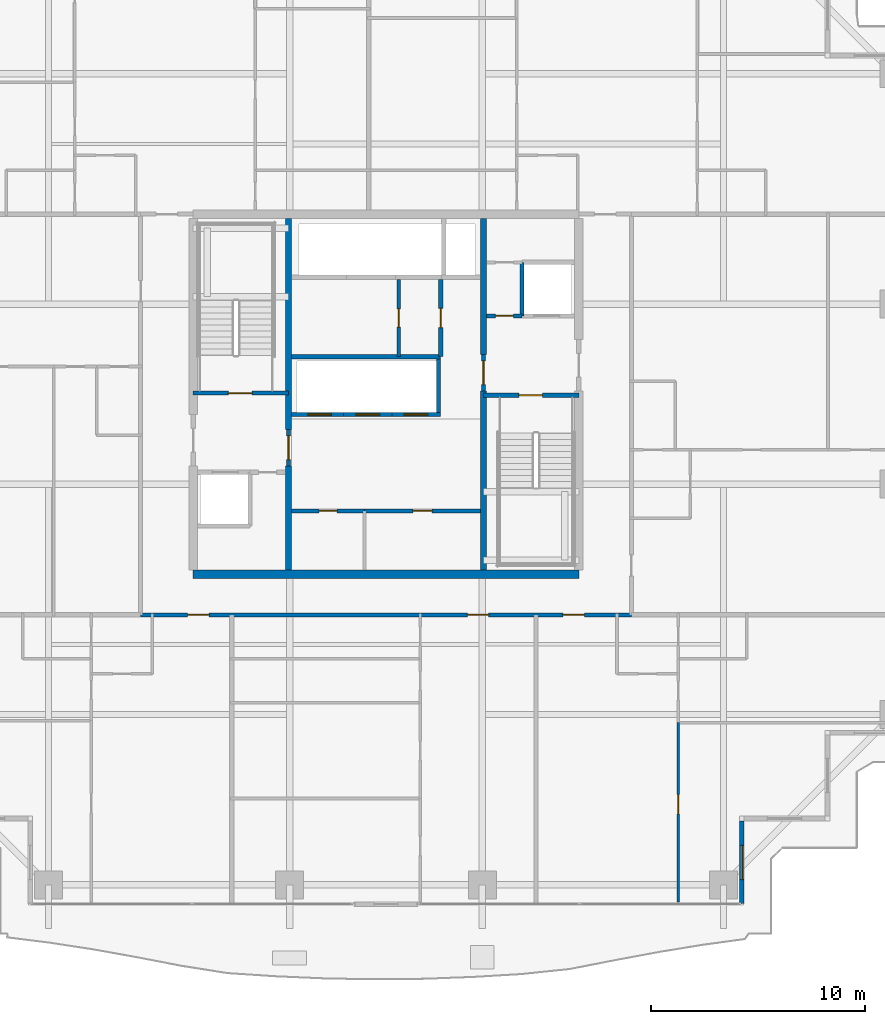
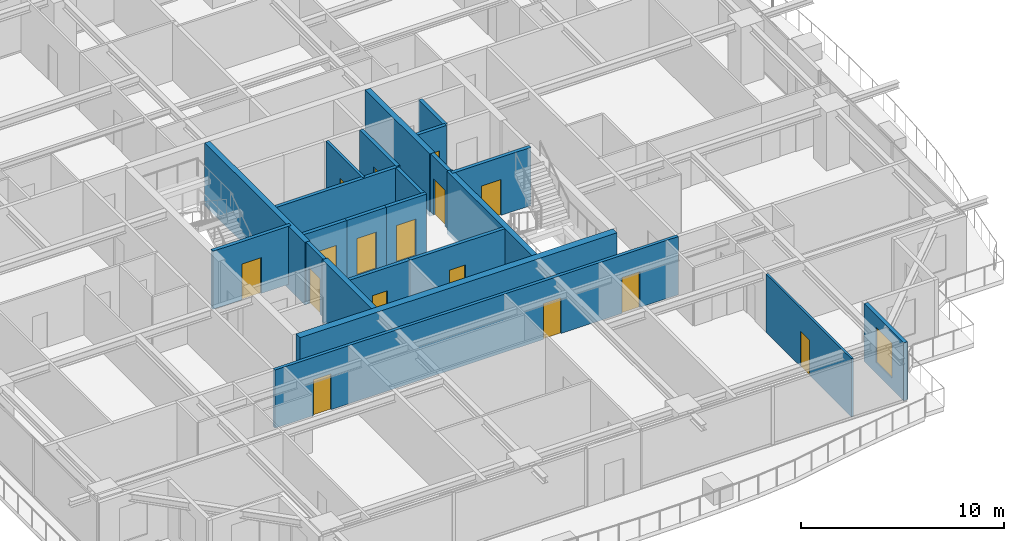
# One storey, part 28 of 37: 23 walls, 16 doors, 1 window, 17 openings.
"""IFC4 building model written with IfcOpenShell, lengths in metres."""

from ifc_helpers import new_model, si_unit, direction, frame, frame_2d, origin, place, context, subcontext, project, spatial, rectangle, extrude, source, transform, mapped, material, layer, layer_set, type_object, element, fill, save


model = new_model("IFC4")

# Units and contexts
model_context = context("Model", 3, precision=1e-05, world=origin(), true_north=direction((0.0, 1.0)))
body_context = subcontext(model_context, "Body", "Model", "MODEL_VIEW")
ifc_project = project(units=[si_unit("LENGTHUNIT", "METRE"), si_unit("AREAUNIT", "SQUARE_METRE"), si_unit("VOLUMEUNIT", "CUBIC_METRE"), si_unit("PLANEANGLEUNIT", "RADIAN"), si_unit("MASSUNIT", "GRAM", prefix="KILO")], contexts=[model_context])

# Site, building, storey
site_placement = place(None, origin())
site = spatial("IfcSite", under=ifc_project, at=site_placement, CompositionType="ELEMENT")
building_placement = place(site_placement, origin())
building = spatial("IfcBuilding", under=site, at=building_placement, Name="Serunith Strait Residences", CompositionType="ELEMENT")
storey_placement = place(building_placement, frame((0.0, 0.0, 161.39990234375)))
storey = spatial("IfcBuildingStorey", under=building, at=storey_placement, Name="L40", CompositionType="ELEMENT", Elevation=161.39990234375)

# Wall, opening, window
ifc_material_1 = material(Name="Pale-Champagne Aluminium Insulated Panel", Category="aluminium")
ifc_layer_1 = layer(ifc_material_1, 0.219970703125, Name="Pale-Champagne Aluminium Insulated Panel")
ifc_layer_set_1 = layer_set([ifc_layer_1], Name="Pale-Champagne Aluminium Insulated Panel")
wall_type_1 = type_object("IfcWallType", Name="EW-ALUM-220", PredefinedType="ELEMENTEDWALL", material=ifc_layer_set_1)
wall_1_placement = place(storey_placement, frame((49.0, 1.39990234375, 0.0), z_axis=(0.0, 0.0, 1.0), x_axis=(0.0, 1.0, 0.0)))
wall_1 = element("IfcWall", 1, at=wall_1_placement, inside=storey, type_object=wall_type_1, Name="L40 Girih Serrated Corner Wall 02", PredefinedType="ELEMENTEDWALL", context=body_context, shape_type="SweptSolid", body=[
    extrude(rectangle(XDim=3.89013671875, YDim=0.219970703125, at=frame_2d((1.945068359375, 0.0))), origin(), (0.0, 0.0, 1.0), 3.47509765625),
])
opening_1_placement = place(wall_1_placement, frame((1.14501953125, 0.0, 0.64990234375)))
opening_1 = element("IfcOpeningElement", 2, at=opening_1_placement, cuts=wall_1, Name="Opening W-02", PredefinedType="OPENING", context=body_context, shape_type="SweptSolid", body=[
    extrude(rectangle(XDim=1.60009765625, YDim=2.10009765625, at=frame_2d((0.800048828125, 1.050048828125))), frame((0.0, 0.1201171875, 0.0), z_axis=(0.0, -1.0, 0.0), x_axis=(1.0, 0.0, 0.0)), (0.0, 0.0, 1.0), 0.239990234375),
])
ifc_material_2 = material(Name="Ceramic-Fritted Operable Aluminium Window Glass", Category="aluminium")
window_type = type_object("IfcWindowType", Name="WIN-C2", PartitioningType="DOUBLE_PANEL_VERTICAL", PredefinedType="WINDOW", material=ifc_material_2)
shared_shape_1 = source(origin(), body_context, "Body", "SweptSolid", [
    extrude(rectangle(XDim=1.60009765625, YDim=2.10009765625, at=frame_2d((0.800048828125, 1.050048828125))), frame((0.0, 0.030029296875, 0.0), z_axis=(0.0, -1.0, 0.0), x_axis=(1.0, 0.0, 0.0)), (0.0, 0.0, 1.0), 0.06005859375),
])
window_placement = place(opening_1_placement, origin())
window = element("IfcWindow", 3, at=window_placement, inside=storey, type_object=window_type, Name="L40 Corner Operable Fritted Window 02", OverallHeight=2.10009765625, OverallWidth=1.60009765625, PartitioningType="SINGLE_PANEL", PredefinedType="WINDOW", context=body_context, shape_type="MappedRepresentation", body=[
    mapped(shared_shape_1, transform((0.0, 0.0, 0.0), scale=1.0)),
])
fill(opening_1, window)

# Wall, opening, door
ifc_material_3 = material(Name="Fire-rated masonry service closet wall", Category="masonry")
ifc_layer_2 = layer(ifc_material_3, 0.14990234375, Name="Fire-rated masonry service closet wall")
ifc_layer_set_2 = layer_set([ifc_layer_2], Name="Fire-rated masonry service closet wall")
wall_type_2 = type_object("IfcWallType", Name="IW-BOH-150", PredefinedType="PARTITIONING", material=ifc_layer_set_2)
wall_2_placement = place(storey_placement, frame((33.0, 26.949951171875, 0.0), z_axis=(0.0, 0.0, 1.0), x_axis=(0.0, 1.0, 0.0)))
wall_2 = element("IfcWall", 4, at=wall_2_placement, inside=storey, type_object=wall_type_2, Name="L40 Partition Wall 014", PredefinedType="PARTITIONING", context=body_context, shape_type="SweptSolid", body=[
    extrude(rectangle(XDim=3.60009765625, YDim=0.14990234375, at=frame_2d((1.800048828125, 0.0))), origin(), (0.0, 0.0, 1.0), 3.489990234375),
])
opening_2_placement = place(wall_2_placement, frame((1.375, 0.0, 0.0)))
opening_2 = element("IfcOpeningElement", 5, at=opening_2_placement, cuts=wall_2, Name="Opening FD-850", PredefinedType="OPENING", context=body_context, shape_type="SweptSolid", body=[
    extrude(rectangle(XDim=0.85009765625, YDim=2.10009765625, at=frame_2d((0.425048828125, 1.050048828125))), frame((0.0, 0.0849609375, 0.0), z_axis=(0.0, -1.0, 0.0), x_axis=(1.0, 0.0, 0.0)), (0.0, 0.0, 1.0), 0.169921875),
])
ifc_material_4 = material(Name="Powder-coated steel service closet door", Category="steel")
door_type_1 = type_object("IfcDoorType", Name="FD-BOH-850", OperationType="NOTDEFINED", PredefinedType="DOOR", material=ifc_material_4)
shared_shape_2 = source(origin(), body_context, "Body", "SweptSolid", [
    extrude(rectangle(XDim=0.85009765625, YDim=2.10009765625, at=frame_2d((0.425048828125, 1.050048828125))), frame((0.0, 0.02490234375, 0.0), z_axis=(0.0, -1.0, 0.0), x_axis=(1.0, 0.0, 0.0)), (0.0, 0.0, 1.0), 0.050048828125),
])
door_1_placement = place(opening_2_placement, origin())
door_1 = element("IfcDoor", 6, at=door_1_placement, inside=storey, type_object=door_type_1, Name="L40 LV Switchgear Door", OperationType="SINGLE_SWING_LEFT", OverallHeight=2.10009765625, OverallWidth=0.85009765625, PredefinedType="DOOR", context=body_context, shape_type="MappedRepresentation", body=[
    mapped(shared_shape_2, transform((0.0, 0.0, 0.0), scale=1.0)),
])
fill(opening_2, door_1)

# Wall, openings, doors
ifc_material_5 = material(Name="Fire-rated acoustic gypsum partition")
ifc_layer_3 = layer(ifc_material_5, 0.179931640625, Name="Fire-rated acoustic gypsum partition")
ifc_layer_set_3 = layer_set([ifc_layer_3], Name="Fire-rated acoustic gypsum partition")
wall_type_3 = type_object("IfcWallType", Name="IW-CORR-180", PredefinedType="PARTITIONING", material=ifc_layer_set_3)
wall_3_placement = place(storey_placement, frame((20.951904296875, 14.89990234375, 0.0), z_axis=(0.0, 0.0, 1.0), x_axis=(1.0, 0.0, 0.0)))
wall_3 = element("IfcWall", 7, at=wall_3_placement, inside=storey, type_object=wall_type_3, Name="L40 Partition Wall 025", PredefinedType="PARTITIONING", context=body_context, shape_type="SweptSolid", body=[
    extrude(rectangle(XDim=22.89599609375, YDim=0.179931640625, at=frame_2d((11.447998046875, 0.0))), origin(), (0.0, 0.0, 1.0), 3.489990234375),
])
opening_3_placement = place(wall_3_placement, frame((2.18994140625, 0.0, 0.0)))
opening_3 = element("IfcOpeningElement", 8, at=opening_3_placement, cuts=wall_3, Name="Opening D-APT1000", PredefinedType="OPENING", context=body_context, shape_type="SweptSolid", body=[
    extrude(rectangle(XDim=1.0, YDim=2.14990234375, at=frame_2d((0.5, 1.074951171875))), frame((0.0, 0.10009765625, 0.0), z_axis=(0.0, -1.0, 0.0), x_axis=(1.0, 0.0, 0.0)), (0.0, 0.0, 1.0), 0.199951171875),
])
opening_4_placement = place(wall_3_placement, frame((15.239990234375, 0.0, 0.0)))
opening_4 = element("IfcOpeningElement", 9, at=opening_4_placement, cuts=wall_3, Name="Opening D-APT1000", PredefinedType="OPENING", context=body_context, shape_type="SweptSolid", body=[
    extrude(rectangle(XDim=1.0, YDim=2.14990234375, at=frame_2d((0.5, 1.074951171875))), frame((0.0, 0.10009765625, 0.0), z_axis=(0.0, -1.0, 0.0), x_axis=(1.0, 0.0, 0.0)), (0.0, 0.0, 1.0), 0.199951171875),
])
opening_5_placement = place(wall_3_placement, frame((19.7060546875, 0.0, 0.0)))
opening_5 = element("IfcOpeningElement", 10, at=opening_5_placement, cuts=wall_3, Name="Opening D-APT1000", PredefinedType="OPENING", context=body_context, shape_type="SweptSolid", body=[
    extrude(rectangle(XDim=1.0, YDim=2.14990234375, at=frame_2d((0.5, 1.074951171875))), frame((0.0, 0.10009765625, 0.0), z_axis=(0.0, -1.0, 0.0), x_axis=(1.0, 0.0, 0.0)), (0.0, 0.0, 1.0), 0.199951171875),
])
ifc_material_6 = material(Name="Solid timber engineered fire door", Category="wood")
door_type_2 = type_object("IfcDoorType", Name="ID-APT-1000", OperationType="NOTDEFINED", PredefinedType="DOOR", material=ifc_material_6)
shared_shape_3 = source(origin(), body_context, "Body", "SweptSolid", [
    extrude(rectangle(XDim=1.0, YDim=2.14990234375, at=frame_2d((0.5, 1.074951171875))), frame((0.0, 0.02490234375, 0.0), z_axis=(0.0, -1.0, 0.0), x_axis=(1.0, 0.0, 0.0)), (0.0, 0.0, 1.0), 0.050048828125),
])
door_2_placement = place(opening_3_placement, origin())
door_2 = element("IfcDoor", 11, at=door_2_placement, inside=storey, type_object=door_type_2, Name="L40 Unit 01 Entrance Door", OperationType="SINGLE_SWING_RIGHT", OverallHeight=2.14990234375, OverallWidth=1.0, PredefinedType="DOOR", context=body_context, shape_type="MappedRepresentation", body=[
    mapped(shared_shape_3, transform((0.0, 0.0, 0.0), scale=1.0)),
])
fill(opening_3, door_2)
door_3_placement = place(opening_4_placement, origin())
door_3 = element("IfcDoor", 12, at=door_3_placement, inside=storey, type_object=door_type_2, Name="L40 Unit 02 Entrance Door", OperationType="SINGLE_SWING_LEFT", OverallHeight=2.14990234375, OverallWidth=1.0, PredefinedType="DOOR", context=body_context, shape_type="MappedRepresentation", body=[
    mapped(shared_shape_3, transform((0.0, 0.0, 0.0), scale=1.0)),
])
fill(opening_4, door_3)
door_4_placement = place(opening_5_placement, origin())
door_4 = element("IfcDoor", 13, at=door_4_placement, inside=storey, type_object=door_type_2, Name="L40 Unit 03 Entrance Door", OperationType="SINGLE_SWING_RIGHT", OverallHeight=2.14990234375, OverallWidth=1.0, PredefinedType="DOOR", context=body_context, shape_type="MappedRepresentation", body=[
    mapped(shared_shape_3, transform((0.0, 0.0, 0.0), scale=1.0)),
])
fill(opening_5, door_4)

# Wall, opening, door
ifc_material_7 = material(Name="Lightweight steel-stud gypsum partition", Category="steel")
ifc_layer_4 = layer(ifc_material_7, 0.1201171875, Name="Lightweight steel-stud gypsum partition")
ifc_layer_set_4 = layer_set([ifc_layer_4], Name="Lightweight steel-stud gypsum partition")
wall_type_4 = type_object("IfcWallType", Name="IW-PART-120", PredefinedType="PARTITIONING", material=ifc_layer_set_4)
wall_4_placement = place(storey_placement, frame((46.030029296875, 1.4951171875, 0.0), z_axis=(0.0, 0.0, 1.0), x_axis=(0.0, 1.0, 0.0)))
wall_4 = element("IfcWall", 14, at=wall_4_placement, inside=storey, type_object=wall_type_4, Name="L40 Partition Wall 047", PredefinedType="PARTITIONING", context=body_context, shape_type="SweptSolid", body=[
    extrude(rectangle(XDim=8.3779296875, YDim=0.1201171875, at=frame_2d((4.18896484375, 0.0))), origin(), (0.0, 0.0, 1.0), 3.489990234375),
])
opening_6_placement = place(wall_4_placement, frame((4.113037109375, 0.0, 0.0)))
opening_6 = element("IfcOpeningElement", 15, at=opening_6_placement, cuts=wall_4, Name="Opening D-RM900", PredefinedType="OPENING", context=body_context, shape_type="SweptSolid", body=[
    extrude(rectangle(XDim=0.89990234375, YDim=2.10009765625, at=frame_2d((0.449951171875, 1.050048828125))), frame((0.0, 0.070068359375, 0.0), z_axis=(0.0, -1.0, 0.0), x_axis=(1.0, 0.0, 0.0)), (0.0, 0.0, 1.0), 0.14013671875),
])
ifc_material_8 = material(Name="Engineered timber flush bedroom door", Category="wood")
door_type_3 = type_object("IfcDoorType", Name="ID-ROOM-900", OperationType="NOTDEFINED", PredefinedType="DOOR", material=ifc_material_8)
shared_shape_4 = source(origin(), body_context, "Body", "SweptSolid", [
    extrude(rectangle(XDim=0.89990234375, YDim=2.10009765625, at=frame_2d((0.449951171875, 1.050048828125))), frame((0.0, 0.02490234375, 0.0), z_axis=(0.0, -1.0, 0.0), x_axis=(1.0, 0.0, 0.0)), (0.0, 0.0, 1.0), 0.050048828125),
])
door_5_placement = place(opening_6_placement, origin())
door_5 = element("IfcDoor", 16, at=door_5_placement, inside=storey, type_object=door_type_3, Name="L40 Master Bedroom 1 4003 Door", OperationType="SINGLE_SWING_RIGHT", OverallHeight=2.10009765625, OverallWidth=0.89990234375, PredefinedType="DOOR", context=body_context, shape_type="MappedRepresentation", body=[
    mapped(shared_shape_4, transform((0.0, 0.0, 0.0), scale=1.0)),
])
fill(opening_6, door_5)

ifc_material_9 = material(Name="Autoclaved aerated concrete blockwork", Category="masonry")
ifc_layer_5 = layer(ifc_material_9, 0.199951171875, Name="Autoclaved aerated concrete blockwork")
ifc_layer_set_5 = layer_set([ifc_layer_5], Name="Autoclaved aerated concrete blockwork")
wall_type_5 = type_object("IfcWallType", Name="IW-SHAFT-200", PredefinedType="STANDARD", material=ifc_layer_set_5)
wall_5_placement = place(storey_placement, frame((23.39990234375, 25.25, 0.0), z_axis=(0.0, 0.0, 1.0), x_axis=(1.0, 0.0, 0.0)))
wall_5 = element("IfcWall", 17, at=wall_5_placement, inside=storey, type_object=wall_type_5, Name="L40 ST-1 South Shaft Wall", PredefinedType="STANDARD", context=body_context, shape_type="SweptSolid", body=[
    extrude(rectangle(XDim=4.4501953125, YDim=0.199951171875, at=frame_2d((2.22509765625, 0.0))), origin(), (0.0, 0.0, 1.0), 3.489990234375),
])
opening_7_placement = place(wall_5_placement, frame((1.64990234375, 0.0, 0.0)))
opening_7 = element("IfcOpeningElement", 18, at=opening_7_placement, cuts=wall_5, Name="Opening FD-1100", PredefinedType="OPENING", context=body_context, shape_type="SweptSolid", body=[
    extrude(rectangle(XDim=1.10009765625, YDim=2.14990234375, at=frame_2d((0.550048828125, 1.074951171875))), frame((0.0, 0.10986328125, 0.0), z_axis=(0.0, -1.0, 0.0), x_axis=(1.0, 0.0, 0.0)), (0.0, 0.0, 1.0), 0.219970703125),
])
ifc_material_10 = material(Name="Galvanised steel fire door leaf", Category="steel")
door_type_4 = type_object("IfcDoorType", Name="FD-STAIR-1100", OperationType="NOTDEFINED", PredefinedType="DOOR", material=ifc_material_10)
shared_shape_5 = source(origin(), body_context, "Body", "SweptSolid", [
    extrude(rectangle(XDim=1.10009765625, YDim=2.14990234375, at=frame_2d((0.550048828125, 1.074951171875))), frame((0.0, 0.02490234375, 0.0), z_axis=(0.0, -1.0, 0.0), x_axis=(1.0, 0.0, 0.0)), (0.0, 0.0, 1.0), 0.050048828125),
])
door_6_placement = place(opening_7_placement, origin())
door_6 = element("IfcDoor", 19, at=door_6_placement, inside=storey, type_object=door_type_4, Name="L40 ST-1 Escape Stair Door", OperationType="SINGLE_SWING_RIGHT", OverallHeight=2.14990234375, OverallWidth=1.10009765625, PredefinedType="DOOR", context=body_context, shape_type="MappedRepresentation", body=[
    mapped(shared_shape_5, transform((0.0, 0.0, 0.0), scale=1.0)),
])
fill(opening_7, door_6)

wall_6_placement = place(storey_placement, frame((36.949951171875, 25.14990234375, 0.0), z_axis=(0.0, 0.0, 1.0), x_axis=(1.0, 0.0, 0.0)))
wall_6 = element("IfcWall", 20, at=wall_6_placement, inside=storey, type_object=wall_type_5, Name="L40 ST-2 North Shaft Wall", PredefinedType="STANDARD", context=body_context, shape_type="SweptSolid", body=[
    extrude(rectangle(XDim=4.449951171875, YDim=0.199951171875, at=frame_2d((2.22509765625, 0.0))), origin(), (0.0, 0.0, 1.0), 3.489990234375),
])
opening_8_placement = place(wall_6_placement, frame((1.64990234375, 0.0, 0.0)))
opening_8 = element("IfcOpeningElement", 21, at=opening_8_placement, cuts=wall_6, Name="Opening FD-1100", PredefinedType="OPENING", context=body_context, shape_type="SweptSolid", body=[
    extrude(rectangle(XDim=1.10009765625, YDim=2.14990234375, at=frame_2d((0.550048828125, 1.074951171875))), frame((0.0, 0.10986328125, 0.0), z_axis=(0.0, -1.0, 0.0), x_axis=(1.0, 0.0, 0.0)), (0.0, 0.0, 1.0), 0.219970703125),
])
door_7_placement = place(opening_8_placement, origin())
door_7 = element("IfcDoor", 22, at=door_7_placement, inside=storey, type_object=door_type_4, Name="L40 ST-2 Escape Stair Door", OperationType="SINGLE_SWING_LEFT", OverallHeight=2.14990234375, OverallWidth=1.10009765625, PredefinedType="DOOR", context=body_context, shape_type="MappedRepresentation", body=[
    mapped(shared_shape_5, transform((0.0, 0.0, 0.0), scale=1.0)),
])
fill(opening_8, door_7)

wall_7_placement = place(storey_placement, frame((28.0, 24.25, 0.0), z_axis=(0.0, 0.0, 1.0), x_axis=(1.0, 0.0, 0.0)))
wall_7 = element("IfcWall", 23, at=wall_7_placement, inside=storey, type_object=wall_type_5, Name="L40 PL-4 South Shaft Wall", PredefinedType="STANDARD", context=body_context, shape_type="SweptSolid", body=[
    extrude(rectangle(XDim=2.425048828125, YDim=0.199951171875, at=frame_2d((1.21240234375, 0.0))), origin(), (0.0, 0.0, 1.0), 3.489990234375),
])
opening_9_placement = place(wall_7_placement, frame((0.75, 0.0, 0.0)))
opening_9 = element("IfcOpeningElement", 24, at=opening_9_placement, cuts=wall_7, Name="Opening LD-1100", PredefinedType="OPENING", context=body_context, shape_type="SweptSolid", body=[
    extrude(rectangle(XDim=1.10009765625, YDim=2.199951171875, at=frame_2d((0.550048828125, 1.10009765625))), frame((0.0, 0.10986328125, 0.0), z_axis=(0.0, -1.0, 0.0), x_axis=(1.0, 0.0, 0.0)), (0.0, 0.0, 1.0), 0.219970703125),
])
ifc_material_11 = material(Name="Pale-champagne stainless landing door")
door_type_5 = type_object("IfcDoorType", Name="LD-LIFT-1100", OperationType="DOUBLE_DOOR_SLIDING", PredefinedType="DOOR", material=ifc_material_11)
shared_shape_6 = source(origin(), body_context, "Body", "SweptSolid", [
    extrude(rectangle(XDim=1.10009765625, YDim=2.199951171875, at=frame_2d((0.550048828125, 1.10009765625))), frame((0.0, 0.02490234375, 0.0), z_axis=(0.0, -1.0, 0.0), x_axis=(1.0, 0.0, 0.0)), (0.0, 0.0, 1.0), 0.050048828125),
])
door_8_placement = place(opening_9_placement, origin())
door_8 = element("IfcDoor", 25, at=door_8_placement, inside=storey, type_object=door_type_5, Name="L40 PL-4 Landing Door", OperationType="DOUBLE_DOOR_SLIDING", OverallHeight=2.199951171875, OverallWidth=1.10009765625, PredefinedType="DOOR", context=body_context, shape_type="MappedRepresentation", body=[
    mapped(shared_shape_6, transform((0.0, 0.0, 0.0), scale=1.0)),
])
fill(opening_9, door_8)

wall_8_placement = place(storey_placement, frame((30.425048828125, 24.25, 0.0), z_axis=(0.0, 0.0, 1.0), x_axis=(1.0, 0.0, 0.0)))
wall_8 = element("IfcWall", 26, at=wall_8_placement, inside=storey, type_object=wall_type_5, Name="L40 PL-5 South Shaft Wall", PredefinedType="STANDARD", context=body_context, shape_type="SweptSolid", body=[
    extrude(rectangle(XDim=2.25, YDim=0.199951171875, at=frame_2d((1.125, 0.0))), origin(), (0.0, 0.0, 1.0), 3.489990234375),
])
opening_10_placement = place(wall_8_placement, frame((0.574951171875, 0.0, 0.0)))
opening_10 = element("IfcOpeningElement", 27, at=opening_10_placement, cuts=wall_8, Name="Opening LD-1100", PredefinedType="OPENING", context=body_context, shape_type="SweptSolid", body=[
    extrude(rectangle(XDim=1.10009765625, YDim=2.199951171875, at=frame_2d((0.550048828125, 1.10009765625))), frame((0.0, 0.10986328125, 0.0), z_axis=(0.0, -1.0, 0.0), x_axis=(1.0, 0.0, 0.0)), (0.0, 0.0, 1.0), 0.219970703125),
])
door_9_placement = place(opening_10_placement, origin())
door_9 = element("IfcDoor", 28, at=door_9_placement, inside=storey, type_object=door_type_5, Name="L40 PL-5 Landing Door", OperationType="DOUBLE_DOOR_SLIDING", OverallHeight=2.199951171875, OverallWidth=1.10009765625, PredefinedType="DOOR", context=body_context, shape_type="MappedRepresentation", body=[
    mapped(shared_shape_6, transform((0.0, 0.0, 0.0), scale=1.0)),
])
fill(opening_10, door_9)

wall_9_placement = place(storey_placement, frame((32.675048828125, 24.25, 0.0), z_axis=(0.0, 0.0, 1.0), x_axis=(1.0, 0.0, 0.0)))
wall_9 = element("IfcWall", 29, at=wall_9_placement, inside=storey, type_object=wall_type_5, Name="L40 PL-6 South Shaft Wall", PredefinedType="STANDARD", context=body_context, shape_type="SweptSolid", body=[
    extrude(rectangle(XDim=2.27490234375, YDim=0.199951171875, at=frame_2d((1.137451171875, 0.0))), origin(), (0.0, 0.0, 1.0), 3.489990234375),
])
opening_11_placement = place(wall_9_placement, frame((0.574951171875, 0.0, 0.0)))
opening_11 = element("IfcOpeningElement", 30, at=opening_11_placement, cuts=wall_9, Name="Opening LD-1100", PredefinedType="OPENING", context=body_context, shape_type="SweptSolid", body=[
    extrude(rectangle(XDim=1.10009765625, YDim=2.199951171875, at=frame_2d((0.550048828125, 1.10009765625))), frame((0.0, 0.10986328125, 0.0), z_axis=(0.0, -1.0, 0.0), x_axis=(1.0, 0.0, 0.0)), (0.0, 0.0, 1.0), 0.219970703125),
])
door_10_placement = place(opening_11_placement, origin())
door_10 = element("IfcDoor", 31, at=door_10_placement, inside=storey, type_object=door_type_5, Name="L40 PL-6 Landing Door", OperationType="DOUBLE_DOOR_SLIDING", OverallHeight=2.199951171875, OverallWidth=1.10009765625, PredefinedType="DOOR", context=body_context, shape_type="MappedRepresentation", body=[
    mapped(shared_shape_6, transform((0.0, 0.0, 0.0), scale=1.0)),
])
fill(opening_11, door_10)

# Walls
for number, where, z_axis, x_axis, name in (
    (32, (34.85009765625, 24.35009765625, 0.0), (0.0, 0.0, 1.0), (0.0, 1.0, 0.0), "L40 PL-6 East Shaft Wall"),
    (33, (38.75, 28.85009765625, 0.0), (0.0, 0.0, 1.0), (0.0, 1.0, 0.0), "L40 Partition Wall 004"),
):
    element("IfcWall", number, at=place(storey_placement, frame(where, z_axis=z_axis, x_axis=x_axis)), inside=storey, type_object=wall_type_5, Name=name, PredefinedType="STANDARD", context=body_context, shape_type="SweptSolid", body=[
        extrude(rectangle(XDim=2.5, YDim=0.199951171875, at=frame_2d((1.25, 0.0))), origin(), (0.0, 0.0, 1.0), 3.489990234375),
    ])

# Wall, opening, door
wall_10_placement = place(storey_placement, frame((37.10009765625, 28.85009765625, 0.0), z_axis=(0.0, 0.0, 1.0), x_axis=(1.0, 0.0, 0.0)))
wall_10 = element("IfcWall", 34, at=wall_10_placement, inside=storey, type_object=wall_type_5, Name="L40 Partition Wall 006", PredefinedType="STANDARD", context=body_context, shape_type="SweptSolid", body=[
    extrude(rectangle(XDim=1.64794921875, YDim=0.199951171875, at=frame_2d((0.823974609375, 0.0))), origin(), (0.0, 0.0, 1.0), 3.489990234375),
])
opening_12_placement = place(wall_10_placement, frame((0.39892578125, 0.0, 0.0)))
opening_12 = element("IfcOpeningElement", 35, at=opening_12_placement, cuts=wall_10, Name="Opening FD-850", PredefinedType="OPENING", context=body_context, shape_type="SweptSolid", body=[
    extrude(rectangle(XDim=0.85009765625, YDim=2.10009765625, at=frame_2d((0.425048828125, 1.050048828125))), frame((0.0, 0.10986328125, 0.0), z_axis=(0.0, -1.0, 0.0), x_axis=(1.0, 0.0, 0.0)), (0.0, 0.0, 1.0), 0.219970703125),
])
door_11_placement = place(opening_12_placement, origin())
door_11 = element("IfcDoor", 36, at=door_11_placement, inside=storey, type_object=door_type_1, Name="L40 North-East Core Service Door", OperationType="SINGLE_SWING_RIGHT", OverallHeight=2.10009765625, OverallWidth=0.85009765625, PredefinedType="DOOR", context=body_context, shape_type="MappedRepresentation", body=[
    mapped(shared_shape_2, transform((0.0, 0.0, 0.0), scale=1.0)),
])
fill(opening_12, door_11)

wall_11_placement = place(storey_placement, frame((27.85009765625, 21.85205078125, 0.0), z_axis=(0.0, 0.0, 1.0), x_axis=(0.0, 1.0, 0.0)))
wall_11 = element("IfcWall", 37, at=wall_11_placement, inside=storey, type_object=wall_type_5, Name="L40 Partition Wall 009", PredefinedType="STANDARD", context=body_context, shape_type="SweptSolid", body=[
    extrude(rectangle(XDim=1.696044921875, YDim=0.199951171875, at=frame_2d((0.84814453125, 0.0))), origin(), (0.0, 0.0, 1.0), 3.489990234375),
])
opening_13_placement = place(wall_11_placement, frame((0.298095703125, 0.0, 0.0)))
opening_13 = element("IfcOpeningElement", 38, at=opening_13_placement, cuts=wall_11, Name="Opening FD-FFL", PredefinedType="OPENING", context=body_context, shape_type="SweptSolid", body=[
    extrude(rectangle(XDim=1.10009765625, YDim=2.14990234375, at=frame_2d((0.550048828125, 1.074951171875))), frame((0.0, 0.10986328125, 0.0), z_axis=(0.0, -1.0, 0.0), x_axis=(1.0, 0.0, 0.0)), (0.0, 0.0, 1.0), 0.219970703125),
])
ifc_material_12 = material(Name="Glazed steel smoke-lobby fire door", Category="steel")
door_type_6 = type_object("IfcDoorType", Name="FD-FFL-1100", OperationType="NOTDEFINED", PredefinedType="DOOR", material=ifc_material_12)
door_12_placement = place(opening_13_placement, origin())
door_12 = element("IfcDoor", 39, at=door_12_placement, inside=storey, type_object=door_type_6, Name="L40 FFL-1 Lift Lobby Door", OperationType="SINGLE_SWING_LEFT", OverallHeight=2.14990234375, OverallWidth=1.10009765625, PredefinedType="DOOR", context=body_context, shape_type="MappedRepresentation", body=[
    mapped(shared_shape_5, transform((0.0, 0.0, 0.0), scale=1.0)),
])
fill(opening_13, door_12)

wall_12_placement = place(storey_placement, frame((36.949951171875, 25.35205078125, 0.0), z_axis=(0.0, 0.0, 1.0), x_axis=(0.0, 1.0, 0.0)))
wall_12 = element("IfcWall", 40, at=wall_12_placement, inside=storey, type_object=wall_type_5, Name="L40 Partition Wall 010", PredefinedType="STANDARD", context=body_context, shape_type="SweptSolid", body=[
    extrude(rectangle(XDim=1.696044921875, YDim=0.199951171875, at=frame_2d((0.84814453125, 0.0))), origin(), (0.0, 0.0, 1.0), 3.489990234375),
])
opening_14_placement = place(wall_12_placement, frame((0.298095703125, 0.0, 0.0)))
opening_14 = element("IfcOpeningElement", 41, at=opening_14_placement, cuts=wall_12, Name="Opening FD-FFL", PredefinedType="OPENING", context=body_context, shape_type="SweptSolid", body=[
    extrude(rectangle(XDim=1.10009765625, YDim=2.14990234375, at=frame_2d((0.550048828125, 1.074951171875))), frame((0.0, 0.10986328125, 0.0), z_axis=(0.0, -1.0, 0.0), x_axis=(1.0, 0.0, 0.0)), (0.0, 0.0, 1.0), 0.219970703125),
])
door_13_placement = place(opening_14_placement, origin())
door_13 = element("IfcDoor", 42, at=door_13_placement, inside=storey, type_object=door_type_6, Name="L40 FFL-2 Lift Lobby Door", OperationType="SINGLE_SWING_RIGHT", OverallHeight=2.14990234375, OverallWidth=1.10009765625, PredefinedType="DOOR", context=body_context, shape_type="MappedRepresentation", body=[
    mapped(shared_shape_5, transform((0.0, 0.0, 0.0), scale=1.0)),
])
fill(opening_14, door_13)

# Wall
wall_13_placement = place(storey_placement, frame((28.0, 26.949951171875, 0.0), z_axis=(0.0, 0.0, 1.0), x_axis=(1.0, 0.0, 0.0)))
element("IfcWall", 43, at=wall_13_placement, inside=storey, type_object=wall_type_5, Name="L40 Partition Wall 011", PredefinedType="STANDARD", context=body_context, shape_type="SweptSolid", body=[
    extrude(rectangle(XDim=6.949951171875, YDim=0.199951171875, at=frame_2d((3.47509765625, 0.0))), origin(), (0.0, 0.0, 1.0), 3.489990234375),
])

# Wall, opening, door
wall_14_placement = place(storey_placement, frame((34.949951171875, 26.949951171875, 0.0), z_axis=(0.0, 0.0, 1.0), x_axis=(0.0, 1.0, 0.0)))
wall_14 = element("IfcWall", 44, at=wall_14_placement, inside=storey, type_object=wall_type_5, Name="L40 Partition Wall 013", PredefinedType="STANDARD", context=body_context, shape_type="SweptSolid", body=[
    extrude(rectangle(XDim=3.60009765625, YDim=0.199951171875, at=frame_2d((1.800048828125, 0.0))), origin(), (0.0, 0.0, 1.0), 3.489990234375),
])
opening_15_placement = place(wall_14_placement, frame((1.35009765625, 0.0, 0.0)))
opening_15 = element("IfcOpeningElement", 45, at=opening_15_placement, cuts=wall_14, Name="Opening FD-900", PredefinedType="OPENING", context=body_context, shape_type="SweptSolid", body=[
    extrude(rectangle(XDim=0.89990234375, YDim=2.10009765625, at=frame_2d((0.449951171875, 1.050048828125))), frame((0.0, 0.10986328125, 0.0), z_axis=(0.0, -1.0, 0.0), x_axis=(1.0, 0.0, 0.0)), (0.0, 0.0, 1.0), 0.219970703125),
])
ifc_material_13 = material(Name="Powder-coated steel riser door", Category="steel")
door_type_7 = type_object("IfcDoorType", Name="FD-BOH-900", OperationType="NOTDEFINED", PredefinedType="DOOR", material=ifc_material_13)
door_14_placement = place(opening_15_placement, origin())
door_14 = element("IfcDoor", 46, at=door_14_placement, inside=storey, type_object=door_type_7, Name="L40 Meter Plant Door", OperationType="SINGLE_SWING_RIGHT", OverallHeight=2.10009765625, OverallWidth=0.89990234375, PredefinedType="DOOR", context=body_context, shape_type="MappedRepresentation", body=[
    mapped(shared_shape_4, transform((0.0, 0.0, 0.0), scale=1.0)),
])
fill(opening_15, door_14)

wall_15_placement = place(storey_placement, frame((28.0, 19.75, 0.0), z_axis=(0.0, 0.0, 1.0), x_axis=(1.0, 0.0, 0.0)))
wall_15 = element("IfcWall", 47, at=wall_15_placement, inside=storey, type_object=wall_type_5, Name="L40 Partition Wall 015", PredefinedType="STANDARD", context=body_context, shape_type="SweptSolid", body=[
    extrude(rectangle(XDim=3.39990234375, YDim=0.199951171875, at=frame_2d((1.699951171875, 0.0))), origin(), (0.0, 0.0, 1.0), 3.489990234375),
])
opening_16_placement = place(wall_15_placement, frame((1.27490234375, 0.0, 0.0)))
opening_16 = element("IfcOpeningElement", 48, at=opening_16_placement, cuts=wall_15, Name="Opening FD-850", PredefinedType="OPENING", context=body_context, shape_type="SweptSolid", body=[
    extrude(rectangle(XDim=0.85009765625, YDim=2.10009765625, at=frame_2d((0.425048828125, 1.050048828125))), frame((0.0, 0.10986328125, 0.0), z_axis=(0.0, -1.0, 0.0), x_axis=(1.0, 0.0, 0.0)), (0.0, 0.0, 1.0), 0.219970703125),
])
door_15_placement = place(opening_16_placement, origin())
door_15 = element("IfcDoor", 49, at=door_15_placement, inside=storey, type_object=door_type_1, Name="L40 Booster Pump Door", OperationType="SINGLE_SWING_RIGHT", OverallHeight=2.10009765625, OverallWidth=0.85009765625, PredefinedType="DOOR", context=body_context, shape_type="MappedRepresentation", body=[
    mapped(shared_shape_2, transform((0.0, 0.0, 0.0), scale=1.0)),
])
fill(opening_16, door_15)

wall_16_placement = place(storey_placement, frame((31.402099609375, 19.75, 0.0), z_axis=(0.0, 0.0, 1.0), x_axis=(1.0, 0.0, 0.0)))
wall_16 = element("IfcWall", 50, at=wall_16_placement, inside=storey, type_object=wall_type_5, Name="L40 Partition Wall 016", PredefinedType="STANDARD", context=body_context, shape_type="SweptSolid", body=[
    extrude(rectangle(XDim=5.39794921875, YDim=0.199951171875, at=frame_2d((2.698974609375, 0.0))), origin(), (0.0, 0.0, 1.0), 3.489990234375),
])
opening_17_placement = place(wall_16_placement, frame((2.2490234375, 0.0, 0.0)))
opening_17 = element("IfcOpeningElement", 51, at=opening_17_placement, cuts=wall_16, Name="Opening FD-900", PredefinedType="OPENING", context=body_context, shape_type="SweptSolid", body=[
    extrude(rectangle(XDim=0.89990234375, YDim=2.10009765625, at=frame_2d((0.449951171875, 1.050048828125))), frame((0.0, 0.10986328125, 0.0), z_axis=(0.0, -1.0, 0.0), x_axis=(1.0, 0.0, 0.0)), (0.0, 0.0, 1.0), 0.219970703125),
])
door_16_placement = place(opening_17_placement, origin())
door_16 = element("IfcDoor", 52, at=door_16_placement, inside=storey, type_object=door_type_7, Name="L40 Zone Switchroom Door", OperationType="SINGLE_SWING_LEFT", OverallHeight=2.10009765625, OverallWidth=0.89990234375, PredefinedType="DOOR", context=body_context, shape_type="MappedRepresentation", body=[
    mapped(shared_shape_4, transform((0.0, 0.0, 0.0), scale=1.0)),
])
fill(opening_17, door_16)

# Walls
ifc_material_14 = material(Name="Concrete C70/85", Category="concrete")
ifc_layer_6 = layer(ifc_material_14, 0.300048828125, Name="Concrete C70/85")
ifc_layer_set_6 = layer_set([ifc_layer_6], Name="Concrete C70/85")
wall_type_6 = type_object("IfcWallType", Name="SW-300-C70", PredefinedType="SHEAR", material=ifc_layer_set_6)
wall_17_placement = place(storey_placement, frame((27.85009765625, 17.0, -0.260009765625), z_axis=(0.0, 0.0, 1.0), x_axis=(0.0, 1.0, 0.0)))
element("IfcWall", 53, at=wall_17_placement, inside=storey, type_object=wall_type_6, Name="L40 Core Internal West Web South Pier", PredefinedType="SHEAR", context=body_context, shape_type="SweptSolid", body=[
    extrude(rectangle(XDim=4.85009765625, YDim=0.300048828125, at=frame_2d((2.425048828125, 0.0))), origin(), (0.0, 0.0, 1.0), 3.748046875),
])
wall_18_placement = place(storey_placement, frame((27.85009765625, 23.550048828125, -0.260009765625), z_axis=(0.0, 0.0, 1.0), x_axis=(0.0, 1.0, 0.0)))
element("IfcWall", 54, at=wall_18_placement, inside=storey, type_object=wall_type_6, Name="L40 Core Internal West Web North Pier", PredefinedType="SHEAR", context=body_context, shape_type="SweptSolid", body=[
    extrude(rectangle(XDim=9.849853515625, YDim=0.300048828125, at=frame_2d((4.9248046875, 0.0))), origin(), (0.0, 0.0, 1.0), 3.748046875),
])
wall_19_placement = place(storey_placement, frame((36.949951171875, 17.0, -0.260009765625), z_axis=(0.0, 0.0, 1.0), x_axis=(0.0, 1.0, 0.0)))
element("IfcWall", 55, at=wall_19_placement, inside=storey, type_object=wall_type_6, Name="L40 Core Internal East Web South Pier", PredefinedType="SHEAR", context=body_context, shape_type="SweptSolid", body=[
    extrude(rectangle(XDim=8.35009765625, YDim=0.300048828125, at=frame_2d((4.175048828125, 0.0))), origin(), (0.0, 0.0, 1.0), 3.748046875),
])
wall_20_placement = place(storey_placement, frame((36.949951171875, 27.050048828125, -0.260009765625), z_axis=(0.0, 0.0, 1.0), x_axis=(0.0, 1.0, 0.0)))
element("IfcWall", 56, at=wall_20_placement, inside=storey, type_object=wall_type_6, Name="L40 Core Internal East Web North Pier", PredefinedType="SHEAR", context=body_context, shape_type="SweptSolid", body=[
    extrude(rectangle(XDim=6.349853515625, YDim=0.300048828125, at=frame_2d((3.1748046875, 0.0))), origin(), (0.0, 0.0, 1.0), 3.748046875),
])
ifc_layer_7 = layer(ifc_material_14, 0.39990234375, Name="Concrete C70/85")
ifc_layer_set_7 = layer_set([ifc_layer_7], Name="Concrete C70/85")
wall_type_7 = type_object("IfcWallType", Name="SW-400-C70", PredefinedType="SHEAR", material=ifc_layer_set_7)
wall_21_placement = place(storey_placement, frame((23.39990234375, 16.800048828125, -0.260009765625), z_axis=(0.0, 0.0, 1.0), x_axis=(1.0, 0.0, 0.0)))
element("IfcWall", 57, at=wall_21_placement, inside=storey, type_object=wall_type_7, Name="L40 Core South Shear Wall", PredefinedType="SHEAR", context=body_context, shape_type="SweptSolid", body=[
    extrude(rectangle(XDim=18.0, YDim=0.39990234375, at=frame_2d((9.0, 0.0))), origin(), (0.0, 0.0, 1.0), 3.748046875),
])

save(model, "model.ifc")
